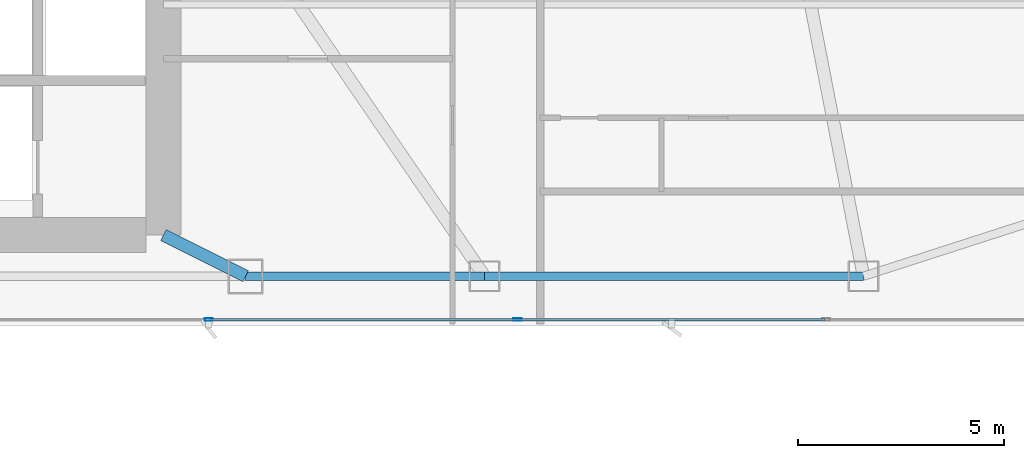
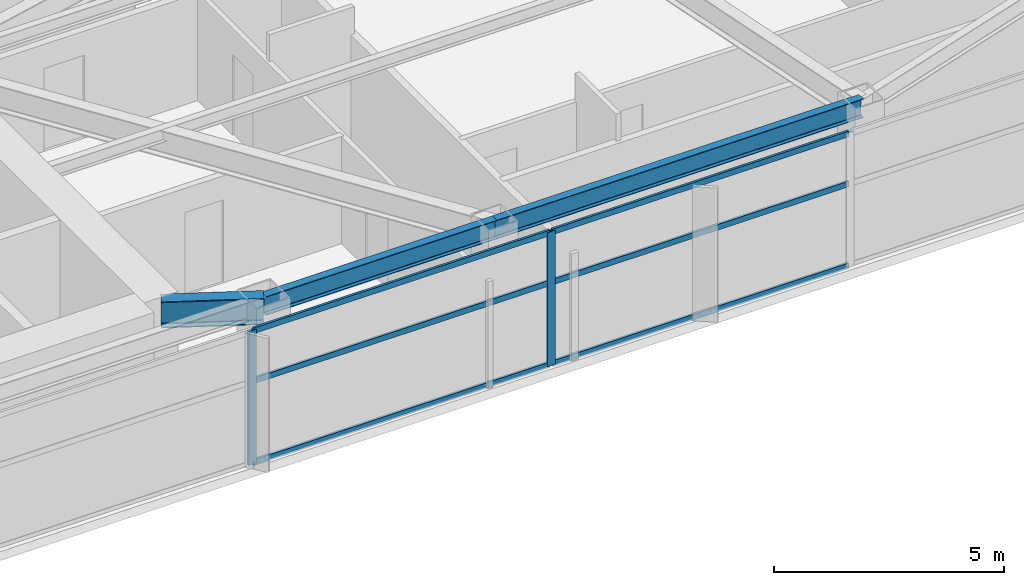
# One storey, part 12 of 28: 8 members, 3 beams, 1 element without a shape of its own.
"""IFC4 building model written with IfcOpenShell, lengths in metres."""

from ifc_helpers import new_model, si_unit, direction, frame, origin, origin_2d, place, context, subcontext, project, spatial, hollow_rectangle, i_section, extrude, material, layer, layer_set, material_profile, profile_set, type_object, element, aggregate, save


model = new_model("IFC4")

# Units and contexts
model_context = context("Model", 3, precision=1e-05, world=origin(), true_north=direction((0.0, 1.0)))
body_context = subcontext(model_context, "Body", "Model", "MODEL_VIEW")
ifc_project = project(units=[si_unit("LENGTHUNIT", "METRE"), si_unit("AREAUNIT", "SQUARE_METRE"), si_unit("VOLUMEUNIT", "CUBIC_METRE"), si_unit("PLANEANGLEUNIT", "RADIAN"), si_unit("MASSUNIT", "GRAM", prefix="KILO")], contexts=[model_context])

# Site, building, storey
site_placement = place(None, origin())
site = spatial("IfcSite", under=ifc_project, at=site_placement, CompositionType="ELEMENT")
building_placement = place(site_placement, origin())
building = spatial("IfcBuilding", under=site, at=building_placement, Name="Calvorn Quay Hotel", CompositionType="ELEMENT")
storey_placement = place(building_placement, frame((0.0, 0.0, 131.60009765625)))
storey = spatial("IfcBuildingStorey", under=building, at=storey_placement, Name="L32", CompositionType="ELEMENT", Elevation=131.60009765625)

# Beams
ifc_material_1 = material(Name="Steel Q390GJC", Category="steel")
ifc_material_profile_1 = material_profile(ifc_material_1, i_section(OverallWidth=0.300048828125, OverallDepth=0.699951171875, WebThickness=0.012939453125, FlangeThickness=0.02392578125, FilletRadius=0.02392578125, at=origin_2d()), Name="HN700x300x13x24")
ifc_profile_set_1 = profile_set([ifc_material_profile_1], Name="Steel Q390GJC")
beam_type_1 = type_object("IfcBeamType", Name="BM-GIRD-MAIN", PredefinedType="BEAM", material=ifc_profile_set_1)
beam_1_placement = place(storey_placement, frame((34.39990234375, 3.60009765625, 3.18994140625), z_axis=(-0.894427191, 0.4472135955, 0.0), x_axis=(-0.4472135955, -0.894427191, 0.0)))
element("IfcBeam", 1, at=beam_1_placement, inside=storey, type_object=beam_type_1, Name="Beam BG-L32-S3", PredefinedType="BEAM", context=body_context, shape_type="SweptSolid", body=[
    extrude(i_section(OverallWidth=0.300048828125, OverallDepth=0.699951171875, WebThickness=0.012939453125, FlangeThickness=0.02392578125, FilletRadius=0.02392578125, at=origin_2d()), origin(), (0.0, 0.0, 1.0), 2.236083984375),
])
ifc_material_2 = material(Name="Steel Q355B", Category="steel")
ifc_material_profile_2 = material_profile(ifc_material_2, i_section(OverallWidth=0.199951171875, OverallDepth=0.5, WebThickness=0.010009765625, FlangeThickness=0.01611328125, FilletRadius=0.01611328125, at=origin_2d()), Name="HN500x200x10x16")
ifc_profile_set_2 = profile_set([ifc_material_profile_2], Name="Steel Q355B")
beam_type_2 = type_object("IfcBeamType", Name="BM-SPANDREL-Z1", PredefinedType="SPANDREL", material=ifc_profile_set_2)
beam_2_placement = place(storey_placement, frame((34.39990234375, 3.60009765625, 3.289794921875), z_axis=(1.0, 0.0, 0.0), x_axis=(0.0, 1.0, 0.0)))
element("IfcBeam", 2, at=beam_2_placement, inside=storey, type_object=beam_type_2, Name="Beam BSP-L32-S4", PredefinedType="SPANDREL", context=body_context, shape_type="SweptSolid", body=[
    extrude(i_section(OverallWidth=0.199951171875, OverallDepth=0.5, WebThickness=0.010009765625, FlangeThickness=0.01611328125, FilletRadius=0.01611328125, at=origin_2d()), origin(), (0.0, 0.0, 1.0), 5.800048828125),
])
beam_3_placement = place(storey_placement, frame((40.199951171875, 3.60009765625, 3.289794921875), z_axis=(1.0, 0.0, 0.0), x_axis=(0.0, 1.0, 0.0)))
element("IfcBeam", 3, at=beam_3_placement, inside=storey, type_object=beam_type_2, Name="Beam BSP-L32-S5", PredefinedType="SPANDREL", context=body_context, shape_type="SweptSolid", body=[
    extrude(i_section(OverallWidth=0.199951171875, OverallDepth=0.5, WebThickness=0.010009765625, FlangeThickness=0.01611328125, FilletRadius=0.01611328125, at=origin_2d()), origin(), (0.0, 0.0, 1.0), 9.199951171875),
])

# Curtain wall, members
ifc_material_3 = material(Name="Pale Anodised Aluminium and Low-E Glass", Category="aluminium")
ifc_layer = layer(ifc_material_3, 0.219970703125)
ifc_layer_set = layer_set([ifc_layer], Name="CW-SYS-Z2")
curtain_wall_type = type_object("IfcCurtainWallType", Name="CW-SYS-Z2", PredefinedType="NOTDEFINED", material=ifc_layer_set)
curtain_wall_placement = place(storey_placement, origin())
curtain_wall = element("IfcCurtainWall", 4, at=curtain_wall_placement, inside=storey, type_object=curtain_wall_type, Name="Tower South Waterfront Curtain Wall (L32)", PredefinedType="NOTDEFINED")
ifc_material_4 = material(Name="Pale Anodised Aluminium 6063-T6", Category="aluminium")
ifc_material_profile_3 = material_profile(ifc_material_4, hollow_rectangle(XDim=0.070068359375, YDim=0.199951171875, WallThickness=0.00390625, at=origin_2d()), Name="ALU-M200x70x4")
ifc_profile_set_3 = profile_set([ifc_material_profile_3], Name="Pale Anodised Aluminium 6063-T6")
member_type_1 = type_object("IfcMemberType", Name="CW-SYS-Z2-MUL", PredefinedType="MULLION", material=ifc_profile_set_3)
member_1_placement = place(storey_placement, frame((33.5, 2.550048828125, 0.0), z_axis=(0.0, 0.0, 1.0), x_axis=(0.0, 1.0, 0.0)))
member_1 = element("IfcMember", 5, at=member_1_placement, type_object=member_type_1, Name="CW-L32-S mullion 4", PredefinedType="MULLION", context=body_context, shape_type="SweptSolid", body=[
    extrude(hollow_rectangle(XDim=0.070068359375, YDim=0.199951171875, WallThickness=0.00390625, at=origin_2d()), origin(), (0.0, 0.0, 1.0), 3.559814453125),
])
member_2_placement = place(storey_placement, frame((41.0, 2.550048828125, 0.0), z_axis=(0.0, 0.0, 1.0), x_axis=(0.0, 1.0, 0.0)))
member_2 = element("IfcMember", 6, at=member_2_placement, type_object=member_type_1, Name="CW-L32-S mullion 5", PredefinedType="MULLION", context=body_context, shape_type="SweptSolid", body=[
    extrude(hollow_rectangle(XDim=0.070068359375, YDim=0.199951171875, WallThickness=0.00390625, at=origin_2d()), origin(), (0.0, 0.0, 1.0), 3.559814453125),
])
ifc_material_5 = material(Name="Pale Anodised Aluminium 6063-T6", Category="aluminium")
ifc_material_profile_4 = material_profile(ifc_material_5, hollow_rectangle(XDim=0.06005859375, YDim=0.14990234375, WallThickness=0.00341796875, at=origin_2d()), Name="ALU-T150x60x3.5")
ifc_profile_set_4 = profile_set([ifc_material_profile_4], Name="Pale Anodised Aluminium 6063-T6")
member_type_2 = type_object("IfcMemberType", Name="CW-SYS-Z2-TRN", PredefinedType="USERDEFINED", material=ifc_profile_set_4)
member_3_placement = place(storey_placement, frame((33.530029296875, 2.550048828125, 0.02978515625), z_axis=(1.0, 0.0, 0.0), x_axis=(0.0, 1.0, 0.0)))
member_3 = element("IfcMember", 7, at=member_3_placement, type_object=member_type_2, Name="CW-L32-S transom 4.1", ObjectType="TRANSOM", PredefinedType="USERDEFINED", context=body_context, shape_type="SweptSolid", body=[
    extrude(hollow_rectangle(XDim=0.06005859375, YDim=0.14990234375, WallThickness=0.00341796875, at=origin_2d()), origin(), (0.0, 0.0, 1.0), 7.43994140625),
])
member_4_placement = place(storey_placement, frame((33.530029296875, 2.550048828125, 2.199951171875), z_axis=(1.0, 0.0, 0.0), x_axis=(0.0, 1.0, 0.0)))
member_4 = element("IfcMember", 8, at=member_4_placement, type_object=member_type_2, Name="CW-L32-S transom 4.2", ObjectType="TRANSOM", PredefinedType="USERDEFINED", context=body_context, shape_type="SweptSolid", body=[
    extrude(hollow_rectangle(XDim=0.06005859375, YDim=0.14990234375, WallThickness=0.00341796875, at=origin_2d()), origin(), (0.0, 0.0, 1.0), 7.43994140625),
])
member_5_placement = place(storey_placement, frame((33.530029296875, 2.550048828125, 3.52978515625), z_axis=(1.0, 0.0, 0.0), x_axis=(0.0, 1.0, 0.0)))
member_5 = element("IfcMember", 9, at=member_5_placement, type_object=member_type_2, Name="CW-L32-S transom 4.3", ObjectType="TRANSOM", PredefinedType="USERDEFINED", context=body_context, shape_type="SweptSolid", body=[
    extrude(hollow_rectangle(XDim=0.06005859375, YDim=0.14990234375, WallThickness=0.00341796875, at=origin_2d()), origin(), (0.0, 0.0, 1.0), 7.43994140625),
])
member_6_placement = place(storey_placement, frame((41.030029296875, 2.550048828125, 0.02978515625), z_axis=(1.0, 0.0, 0.0), x_axis=(0.0, 1.0, 0.0)))
member_6 = element("IfcMember", 10, at=member_6_placement, type_object=member_type_2, Name="CW-L32-S transom 5.1", ObjectType="TRANSOM", PredefinedType="USERDEFINED", context=body_context, shape_type="SweptSolid", body=[
    extrude(hollow_rectangle(XDim=0.06005859375, YDim=0.14990234375, WallThickness=0.00341796875, at=origin_2d()), origin(), (0.0, 0.0, 1.0), 7.43994140625),
])
member_7_placement = place(storey_placement, frame((41.030029296875, 2.550048828125, 2.199951171875), z_axis=(1.0, 0.0, 0.0), x_axis=(0.0, 1.0, 0.0)))
member_7 = element("IfcMember", 11, at=member_7_placement, type_object=member_type_2, Name="CW-L32-S transom 5.2", ObjectType="TRANSOM", PredefinedType="USERDEFINED", context=body_context, shape_type="SweptSolid", body=[
    extrude(hollow_rectangle(XDim=0.06005859375, YDim=0.14990234375, WallThickness=0.00341796875, at=origin_2d()), origin(), (0.0, 0.0, 1.0), 7.43994140625),
])
member_8_placement = place(storey_placement, frame((41.030029296875, 2.550048828125, 3.52978515625), z_axis=(1.0, 0.0, 0.0), x_axis=(0.0, 1.0, 0.0)))
member_8 = element("IfcMember", 12, at=member_8_placement, type_object=member_type_2, Name="CW-L32-S transom 5.3", ObjectType="TRANSOM", PredefinedType="USERDEFINED", context=body_context, shape_type="SweptSolid", body=[
    extrude(hollow_rectangle(XDim=0.06005859375, YDim=0.14990234375, WallThickness=0.00341796875, at=origin_2d()), origin(), (0.0, 0.0, 1.0), 7.43994140625),
])
aggregate(curtain_wall, [member_1, member_2, member_3, member_4, member_5, member_6, member_7, member_8])

save(model, "model.ifc")
